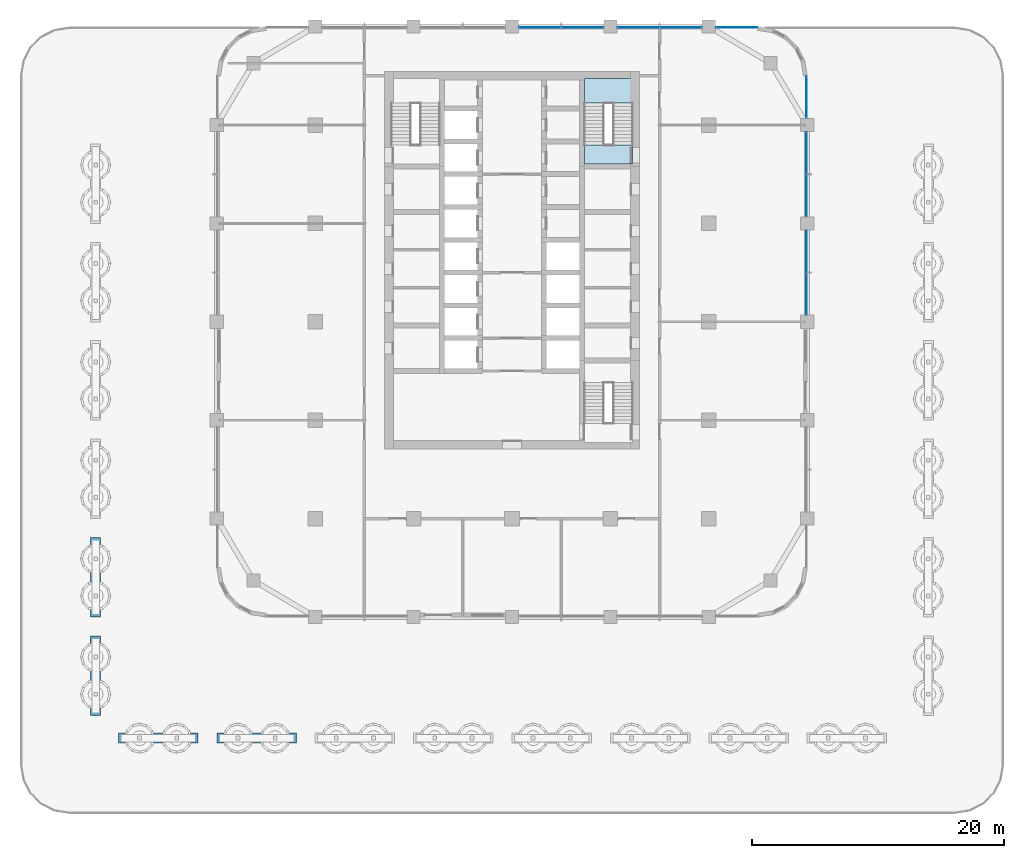
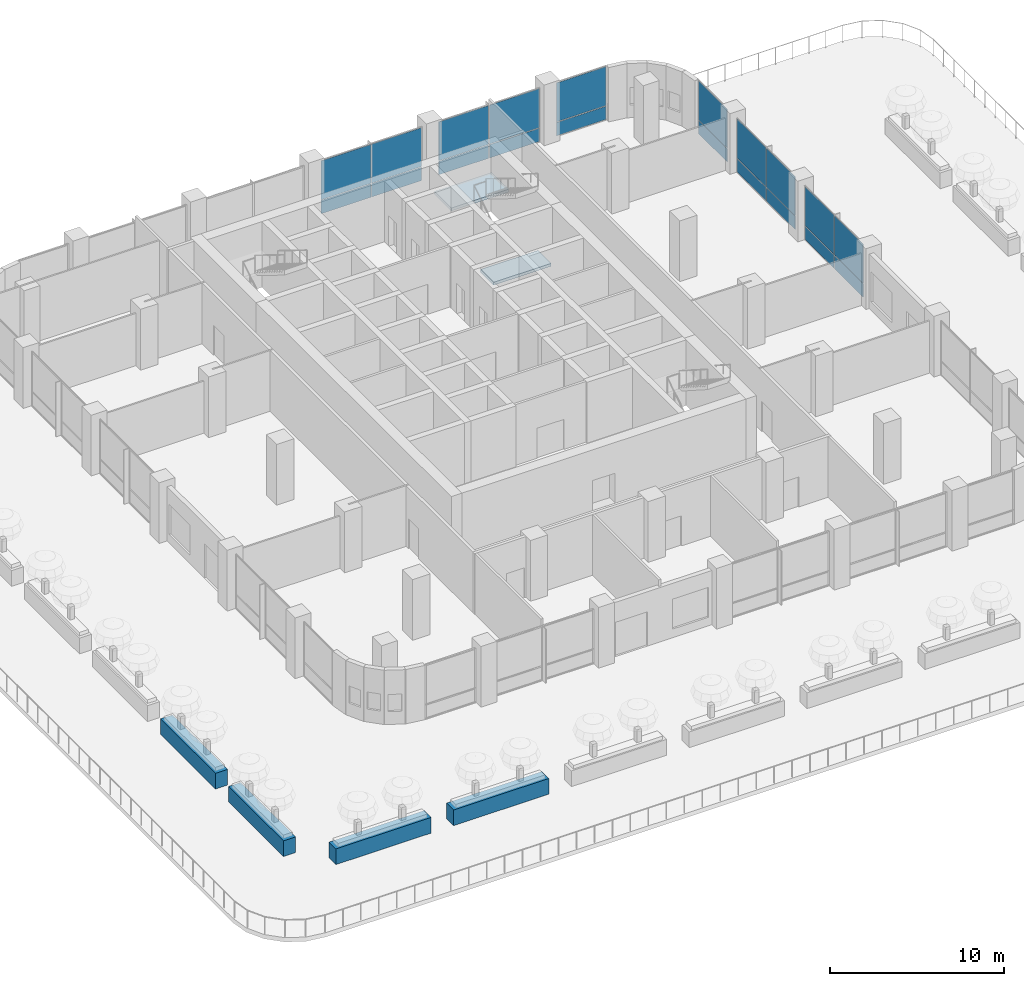
# One storey, part 11 of 31: 20 plates, 4 walls, 2 slabs, 7 elements without a shape of their own.
"""IFC4 building model written with IfcOpenShell, lengths in metres."""

from ifc_helpers import new_model, si_unit, direction, frame, frame_2d, origin, origin_2d, place, context, subcontext, project, spatial, polyline, rectangle, outline, extrude, material, layer, layer_set, type_object, element, aggregate, save


model = new_model("IFC4")

# Units and contexts
model_context = context("Model", 3, precision=1e-05, world=origin(), true_north=direction((0.0, 1.0)))
body_context = subcontext(model_context, "Body", "Model", "MODEL_VIEW")
ifc_project = project(units=[si_unit("LENGTHUNIT", "METRE"), si_unit("AREAUNIT", "SQUARE_METRE"), si_unit("VOLUMEUNIT", "CUBIC_METRE"), si_unit("PLANEANGLEUNIT", "RADIAN"), si_unit("MASSUNIT", "GRAM", prefix="KILO")], contexts=[model_context])

# Site, building, storey
site_placement = place(None, origin())
site = spatial("IfcSite", under=ifc_project, at=site_placement, CompositionType="ELEMENT")
building_placement = place(site_placement, origin())
building = spatial("IfcBuilding", under=site, at=building_placement, Name="Ludao Terraces", CompositionType="ELEMENT")
storey_placement = place(building_placement, frame((0.0, 0.0, 15.0)))
storey = spatial("IfcBuildingStorey", under=building, at=storey_placement, Name="L03", CompositionType="ELEMENT", Elevation=15.0)

# Curtain wall, plates
ifc_material_1 = material(Name="Aluminium curtain wall with fritted glass", Category="aluminium")
curtain_wall_type = type_object("IfcCurtainWallType", Name="ENV CW5 amenity glazing", PredefinedType="NOTDEFINED", material=ifc_material_1)
curtain_wall_1_placement = place(storey_placement, origin())
curtain_wall_1 = element("IfcCurtainWall", 1, at=curtain_wall_1_placement, inside=storey, type_object=curtain_wall_type, Name="Amenity glazing L03 E4", PredefinedType="NOTDEFINED")
ifc_material_2 = material(Name="Fritted glass panel", Category="glass")
ifc_layer_1 = layer(ifc_material_2, 0.02587890625)
ifc_layer_set_1 = layer_set([ifc_layer_1], Name="ENV CW5 glass panel")
plate_type = type_object("IfcPlateType", Name="ENV CW5 glass panel", PredefinedType="CURTAIN_PANEL", material=ifc_layer_set_1)
plate_1_placement = place(storey_placement, frame((108.340087890625, 67.22509765625, 0.0498046875), z_axis=(0.0, 0.0, 1.0), x_axis=(0.0, 1.0, 0.0)))
plate_1 = element("IfcPlate", 2, at=plate_1_placement, type_object=plate_type, Name="CW5 panel 1.1", PredefinedType="CURTAIN_PANEL", context=body_context, shape_type="SweptSolid", body=[
    extrude(rectangle(XDim=3.300048828125, YDim=0.02587890625, at=origin_2d()), origin(), (0.0, 0.0, 1.0), 0.925048828125),
])
plate_2_placement = place(storey_placement, frame((108.340087890625, 67.22509765625, 1.02490234375), z_axis=(0.0, 0.0, 1.0), x_axis=(0.0, 1.0, 0.0)))
plate_2 = element("IfcPlate", 3, at=plate_2_placement, type_object=plate_type, Name="CW5 panel 1.2", PredefinedType="CURTAIN_PANEL", context=body_context, shape_type="SweptSolid", body=[
    extrude(rectangle(XDim=3.300048828125, YDim=0.02587890625, at=origin_2d()), origin(), (0.0, 0.0, 1.0), 2.72509765625),
])
plate_3_placement = place(storey_placement, frame((108.340087890625, 70.574951171875, 0.0498046875), z_axis=(0.0, 0.0, 1.0), x_axis=(0.0, 1.0, 0.0)))
plate_3 = element("IfcPlate", 4, at=plate_3_placement, type_object=plate_type, Name="CW5 panel 2.1", PredefinedType="CURTAIN_PANEL", context=body_context, shape_type="SweptSolid", body=[
    extrude(rectangle(XDim=3.300048828125, YDim=0.02587890625, at=origin_2d()), origin(), (0.0, 0.0, 1.0), 0.925048828125),
])
plate_4_placement = place(storey_placement, frame((108.340087890625, 70.574951171875, 1.02490234375), z_axis=(0.0, 0.0, 1.0), x_axis=(0.0, 1.0, 0.0)))
plate_4 = element("IfcPlate", 5, at=plate_4_placement, type_object=plate_type, Name="CW5 panel 2.2", PredefinedType="CURTAIN_PANEL", context=body_context, shape_type="SweptSolid", body=[
    extrude(rectangle(XDim=3.300048828125, YDim=0.02587890625, at=origin_2d()), origin(), (0.0, 0.0, 1.0), 2.72509765625),
])
aggregate(curtain_wall_1, [plate_1, plate_2, plate_3, plate_4])

curtain_wall_2_placement = place(storey_placement, origin())
curtain_wall_2 = element("IfcCurtainWall", 6, at=curtain_wall_2_placement, inside=storey, type_object=curtain_wall_type, Name="Amenity glazing L03 E5", PredefinedType="NOTDEFINED")
plate_5_placement = place(storey_placement, frame((108.340087890625, 75.02490234375, 0.0498046875), z_axis=(0.0, 0.0, 1.0), x_axis=(0.0, 1.0, 0.0)))
plate_5 = element("IfcPlate", 7, at=plate_5_placement, type_object=plate_type, Name="CW5 panel 1.1", PredefinedType="CURTAIN_PANEL", context=body_context, shape_type="SweptSolid", body=[
    extrude(rectangle(XDim=3.300048828125, YDim=0.02587890625, at=origin_2d()), origin(), (0.0, 0.0, 1.0), 0.925048828125),
])
plate_6_placement = place(storey_placement, frame((108.340087890625, 75.02490234375, 1.02490234375), z_axis=(0.0, 0.0, 1.0), x_axis=(0.0, 1.0, 0.0)))
plate_6 = element("IfcPlate", 8, at=plate_6_placement, type_object=plate_type, Name="CW5 panel 1.2", PredefinedType="CURTAIN_PANEL", context=body_context, shape_type="SweptSolid", body=[
    extrude(rectangle(XDim=3.300048828125, YDim=0.02587890625, at=origin_2d()), origin(), (0.0, 0.0, 1.0), 2.72509765625),
])
plate_7_placement = place(storey_placement, frame((108.340087890625, 78.375, 0.0498046875), z_axis=(0.0, 0.0, 1.0), x_axis=(0.0, 1.0, 0.0)))
plate_7 = element("IfcPlate", 9, at=plate_7_placement, type_object=plate_type, Name="CW5 panel 2.1", PredefinedType="CURTAIN_PANEL", context=body_context, shape_type="SweptSolid", body=[
    extrude(rectangle(XDim=3.300048828125, YDim=0.02587890625, at=origin_2d()), origin(), (0.0, 0.0, 1.0), 0.925048828125),
])
plate_8_placement = place(storey_placement, frame((108.340087890625, 78.375, 1.02490234375), z_axis=(0.0, 0.0, 1.0), x_axis=(0.0, 1.0, 0.0)))
plate_8 = element("IfcPlate", 10, at=plate_8_placement, type_object=plate_type, Name="CW5 panel 2.2", PredefinedType="CURTAIN_PANEL", context=body_context, shape_type="SweptSolid", body=[
    extrude(rectangle(XDim=3.300048828125, YDim=0.02587890625, at=origin_2d()), origin(), (0.0, 0.0, 1.0), 2.72509765625),
])
aggregate(curtain_wall_2, [plate_5, plate_6, plate_7, plate_8])

curtain_wall_3_placement = place(storey_placement, origin())
curtain_wall_3 = element("IfcCurtainWall", 11, at=curtain_wall_3_placement, inside=storey, type_object=curtain_wall_type, Name="Amenity glazing L03 E6", PredefinedType="NOTDEFINED")
plate_9_placement = place(storey_placement, frame((108.340087890625, 82.8125, 0.0498046875), z_axis=(0.0, 0.0, 1.0), x_axis=(0.0, 1.0, 0.0)))
plate_9 = element("IfcPlate", 12, at=plate_9_placement, type_object=plate_type, Name="CW5 panel 1.1", PredefinedType="CURTAIN_PANEL", context=body_context, shape_type="SweptSolid", body=[
    extrude(rectangle(XDim=3.27490234375, YDim=0.02587890625, at=origin_2d()), origin(), (0.0, 0.0, 1.0), 0.925048828125),
])
plate_10_placement = place(storey_placement, frame((108.340087890625, 82.8125, 1.02490234375), z_axis=(0.0, 0.0, 1.0), x_axis=(0.0, 1.0, 0.0)))
plate_10 = element("IfcPlate", 13, at=plate_10_placement, type_object=plate_type, Name="CW5 panel 1.2", PredefinedType="CURTAIN_PANEL", context=body_context, shape_type="SweptSolid", body=[
    extrude(rectangle(XDim=3.27490234375, YDim=0.02587890625, at=origin_2d()), origin(), (0.0, 0.0, 1.0), 2.72509765625),
])
aggregate(curtain_wall_3, [plate_9, plate_10])

curtain_wall_4_placement = place(storey_placement, origin())
curtain_wall_4 = element("IfcCurtainWall", 14, at=curtain_wall_4_placement, inside=storey, type_object=curtain_wall_type, Name="Amenity glazing L03 N4", PredefinedType="NOTDEFINED")
plate_11_placement = place(storey_placement, frame((87.22509765625, 88.340087890625, 0.0498046875), z_axis=(0.0, 0.0, 1.0), x_axis=(1.0, 0.0, 0.0)))
plate_11 = element("IfcPlate", 15, at=plate_11_placement, type_object=plate_type, Name="CW5 panel 1.1", PredefinedType="CURTAIN_PANEL", context=body_context, shape_type="SweptSolid", body=[
    extrude(rectangle(XDim=3.300048828125, YDim=0.02587890625, at=origin_2d()), origin(), (0.0, 0.0, 1.0), 0.925048828125),
])
plate_12_placement = place(storey_placement, frame((87.22509765625, 88.340087890625, 1.02490234375), z_axis=(0.0, 0.0, 1.0), x_axis=(1.0, 0.0, 0.0)))
plate_12 = element("IfcPlate", 16, at=plate_12_placement, type_object=plate_type, Name="CW5 panel 1.2", PredefinedType="CURTAIN_PANEL", context=body_context, shape_type="SweptSolid", body=[
    extrude(rectangle(XDim=3.300048828125, YDim=0.02587890625, at=origin_2d()), origin(), (0.0, 0.0, 1.0), 2.72509765625),
])
plate_13_placement = place(storey_placement, frame((90.574951171875, 88.340087890625, 0.0498046875), z_axis=(0.0, 0.0, 1.0), x_axis=(1.0, 0.0, 0.0)))
plate_13 = element("IfcPlate", 17, at=plate_13_placement, type_object=plate_type, Name="CW5 panel 2.1", PredefinedType="CURTAIN_PANEL", context=body_context, shape_type="SweptSolid", body=[
    extrude(rectangle(XDim=3.300048828125, YDim=0.02587890625, at=origin_2d()), origin(), (0.0, 0.0, 1.0), 0.925048828125),
])
plate_14_placement = place(storey_placement, frame((90.574951171875, 88.340087890625, 1.02490234375), z_axis=(0.0, 0.0, 1.0), x_axis=(1.0, 0.0, 0.0)))
plate_14 = element("IfcPlate", 18, at=plate_14_placement, type_object=plate_type, Name="CW5 panel 2.2", PredefinedType="CURTAIN_PANEL", context=body_context, shape_type="SweptSolid", body=[
    extrude(rectangle(XDim=3.300048828125, YDim=0.02587890625, at=origin_2d()), origin(), (0.0, 0.0, 1.0), 2.72509765625),
])
aggregate(curtain_wall_4, [plate_11, plate_12, plate_13, plate_14])

curtain_wall_5_placement = place(storey_placement, origin())
curtain_wall_5 = element("IfcCurtainWall", 19, at=curtain_wall_5_placement, inside=storey, type_object=curtain_wall_type, Name="Amenity glazing L03 N5", PredefinedType="NOTDEFINED")
plate_15_placement = place(storey_placement, frame((95.02490234375, 88.340087890625, 0.0498046875), z_axis=(0.0, 0.0, 1.0), x_axis=(1.0, 0.0, 0.0)))
plate_15 = element("IfcPlate", 20, at=plate_15_placement, type_object=plate_type, Name="CW5 panel 1.1", PredefinedType="CURTAIN_PANEL", context=body_context, shape_type="SweptSolid", body=[
    extrude(rectangle(XDim=3.300048828125, YDim=0.02587890625, at=origin_2d()), origin(), (0.0, 0.0, 1.0), 0.925048828125),
])
plate_16_placement = place(storey_placement, frame((95.02490234375, 88.340087890625, 1.02490234375), z_axis=(0.0, 0.0, 1.0), x_axis=(1.0, 0.0, 0.0)))
plate_16 = element("IfcPlate", 21, at=plate_16_placement, type_object=plate_type, Name="CW5 panel 1.2", PredefinedType="CURTAIN_PANEL", context=body_context, shape_type="SweptSolid", body=[
    extrude(rectangle(XDim=3.300048828125, YDim=0.02587890625, at=origin_2d()), origin(), (0.0, 0.0, 1.0), 2.72509765625),
])
plate_17_placement = place(storey_placement, frame((98.375, 88.340087890625, 0.0498046875), z_axis=(0.0, 0.0, 1.0), x_axis=(1.0, 0.0, 0.0)))
plate_17 = element("IfcPlate", 22, at=plate_17_placement, type_object=plate_type, Name="CW5 panel 2.1", PredefinedType="CURTAIN_PANEL", context=body_context, shape_type="SweptSolid", body=[
    extrude(rectangle(XDim=3.300048828125, YDim=0.02587890625, at=origin_2d()), origin(), (0.0, 0.0, 1.0), 0.925048828125),
])
plate_18_placement = place(storey_placement, frame((98.375, 88.340087890625, 1.02490234375), z_axis=(0.0, 0.0, 1.0), x_axis=(1.0, 0.0, 0.0)))
plate_18 = element("IfcPlate", 23, at=plate_18_placement, type_object=plate_type, Name="CW5 panel 2.2", PredefinedType="CURTAIN_PANEL", context=body_context, shape_type="SweptSolid", body=[
    extrude(rectangle(XDim=3.300048828125, YDim=0.02587890625, at=origin_2d()), origin(), (0.0, 0.0, 1.0), 2.72509765625),
])
aggregate(curtain_wall_5, [plate_15, plate_16, plate_17, plate_18])

curtain_wall_6_placement = place(storey_placement, origin())
curtain_wall_6 = element("IfcCurtainWall", 24, at=curtain_wall_6_placement, inside=storey, type_object=curtain_wall_type, Name="Amenity glazing L03 N6", PredefinedType="NOTDEFINED")
plate_19_placement = place(storey_placement, frame((102.8125, 88.340087890625, 0.0498046875), z_axis=(0.0, 0.0, 1.0), x_axis=(1.0, 0.0, 0.0)))
plate_19 = element("IfcPlate", 25, at=plate_19_placement, type_object=plate_type, Name="CW5 panel 1.1", PredefinedType="CURTAIN_PANEL", context=body_context, shape_type="SweptSolid", body=[
    extrude(rectangle(XDim=3.27490234375, YDim=0.02587890625, at=origin_2d()), origin(), (0.0, 0.0, 1.0), 0.925048828125),
])
plate_20_placement = place(storey_placement, frame((102.8125, 88.340087890625, 1.02490234375), z_axis=(0.0, 0.0, 1.0), x_axis=(1.0, 0.0, 0.0)))
plate_20 = element("IfcPlate", 26, at=plate_20_placement, type_object=plate_type, Name="CW5 panel 1.2", PredefinedType="CURTAIN_PANEL", context=body_context, shape_type="SweptSolid", body=[
    extrude(rectangle(XDim=3.27490234375, YDim=0.02587890625, at=origin_2d()), origin(), (0.0, 0.0, 1.0), 2.72509765625),
])
aggregate(curtain_wall_6, [plate_19, plate_20])

# Stair, slabs
ifc_material_3 = material(Name="Concrete C40", Category="concrete")
stair_type = type_object("IfcStairType", Name="INT Stair", PredefinedType="HALF_TURN_STAIR", material=ifc_material_3)
stair_placement = place(storey_placement, origin())
stair = element("IfcStair", 27, at=stair_placement, inside=storey, type_object=stair_type, Name="EXIT STAIR 2", PredefinedType="HALF_TURN_STAIR")
ifc_layer_2 = layer(ifc_material_3, 0.199951171875)
ifc_layer_set_2 = layer_set([ifc_layer_2], Name="INT Stair landing 200")
slab_type = type_object("IfcSlabType", Name="INT Stair landing 200", PredefinedType="LANDING", material=ifc_layer_set_2)
slab_1_placement = place(storey_placement, frame((0.0, 0.0, 2.050048828125)))
slab_1 = element("IfcSlab", 28, at=slab_1_placement, type_object=slab_type, Name="ST2 landing 1", PredefinedType="LANDING", context=body_context, shape_type="SweptSolid", body=[
    extrude(outline(polyline([(90.75, 82.360107421875), (94.550048828125, 82.360107421875), (94.550048828125, 84.300048828125), (90.75, 84.300048828125), (90.75, 82.360107421875)])), origin(), (0.0, 0.0, 1.0), 0.199951171875),
])
slab_2_placement = place(storey_placement, frame((0.0, 0.0, -0.199951171875)))
slab_2 = element("IfcSlab", 29, at=slab_2_placement, type_object=slab_type, Name="ST2 landing 2", PredefinedType="LANDING", context=body_context, shape_type="SweptSolid", body=[
    extrude(outline(polyline([(90.75, 77.5), (94.550048828125, 77.5), (94.550048828125, 79.0), (90.75, 79.0), (90.75, 77.5)])), origin(), (0.0, 0.0, 1.0), 0.199951171875),
])
aggregate(stair, [slab_1, slab_2])

# Walls
ifc_layer_3 = layer(ifc_material_3, 0.800048828125)
ifc_layer_set_3 = layer_set([ifc_layer_3], Name="ENV Terrace planter 800")
wall_type = type_object("IfcWallType", Name="ENV Terrace planter 800", PredefinedType="USERDEFINED", material=ifc_layer_set_3)
wall_1_placement = place(storey_placement, frame((53.800048828125, 32.0, 0.0), z_axis=(0.0, 0.0, 1.0), x_axis=(1.0, 0.0, 0.0)))
element("IfcWall", 30, at=wall_1_placement, inside=storey, type_object=wall_type, Name="PL-L03-T1", ObjectType="PLANTER", PredefinedType="USERDEFINED", context=body_context, shape_type="SweptSolid", body=[
    extrude(rectangle(XDim=6.300048828125, YDim=0.800048828125, at=frame_2d((3.14990234375, 0.0))), origin(), (0.0, 0.0, 1.0), 1.10009765625),
])
wall_2_placement = place(storey_placement, frame((61.60009765625, 32.0, 0.0), z_axis=(0.0, 0.0, 1.0), x_axis=(1.0, 0.0, 0.0)))
element("IfcWall", 31, at=wall_2_placement, inside=storey, type_object=wall_type, Name="PL-L03-T2", ObjectType="PLANTER", PredefinedType="USERDEFINED", context=body_context, shape_type="SweptSolid", body=[
    extrude(rectangle(XDim=6.2998046875, YDim=0.800048828125, at=frame_2d((3.14990234375, 0.0))), origin(), (0.0, 0.0, 1.0), 1.10009765625),
])
wall_3_placement = place(storey_placement, frame((52.0, 33.800048828125, 0.0), z_axis=(0.0, 0.0, 1.0), x_axis=(0.0, 1.0, 0.0)))
element("IfcWall", 32, at=wall_3_placement, inside=storey, type_object=wall_type, Name="PL-L03-T9", ObjectType="PLANTER", PredefinedType="USERDEFINED", context=body_context, shape_type="SweptSolid", body=[
    extrude(rectangle(XDim=6.300048828125, YDim=0.800048828125, at=frame_2d((3.14990234375, 0.0))), origin(), (0.0, 0.0, 1.0), 1.10009765625),
])
wall_4_placement = place(storey_placement, frame((52.0, 41.60009765625, 0.0), z_axis=(0.0, 0.0, 1.0), x_axis=(0.0, 1.0, 0.0)))
element("IfcWall", 33, at=wall_4_placement, inside=storey, type_object=wall_type, Name="PL-L03-T10", ObjectType="PLANTER", PredefinedType="USERDEFINED", context=body_context, shape_type="SweptSolid", body=[
    extrude(rectangle(XDim=6.2998046875, YDim=0.800048828125, at=frame_2d((3.14990234375, 0.0))), origin(), (0.0, 0.0, 1.0), 1.10009765625),
])

save(model, "model.ifc")
